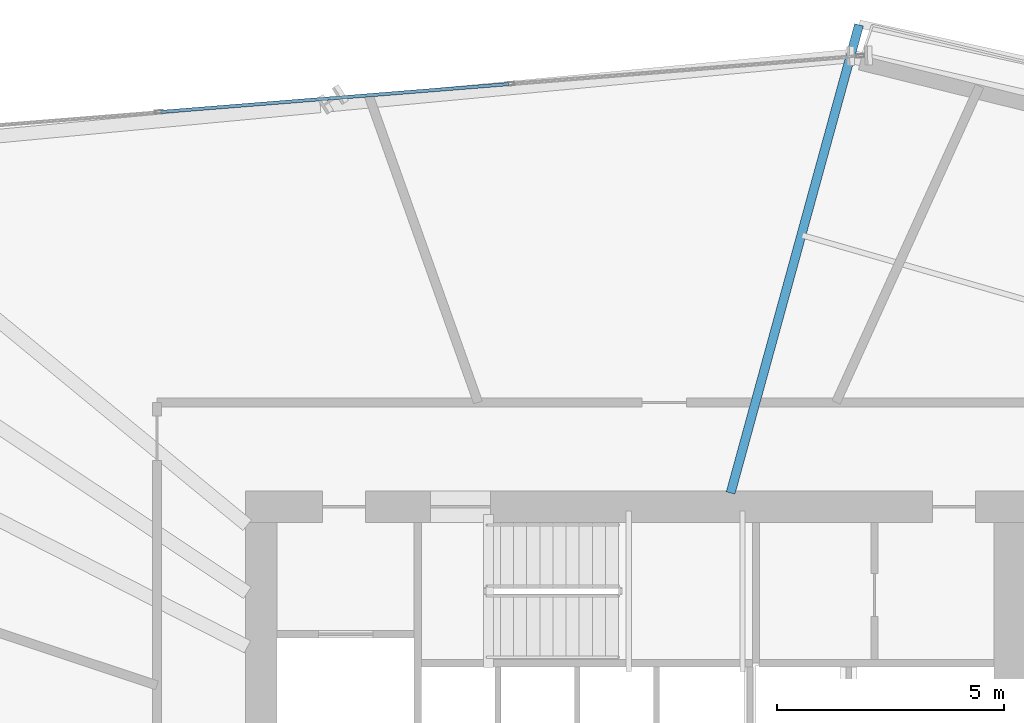
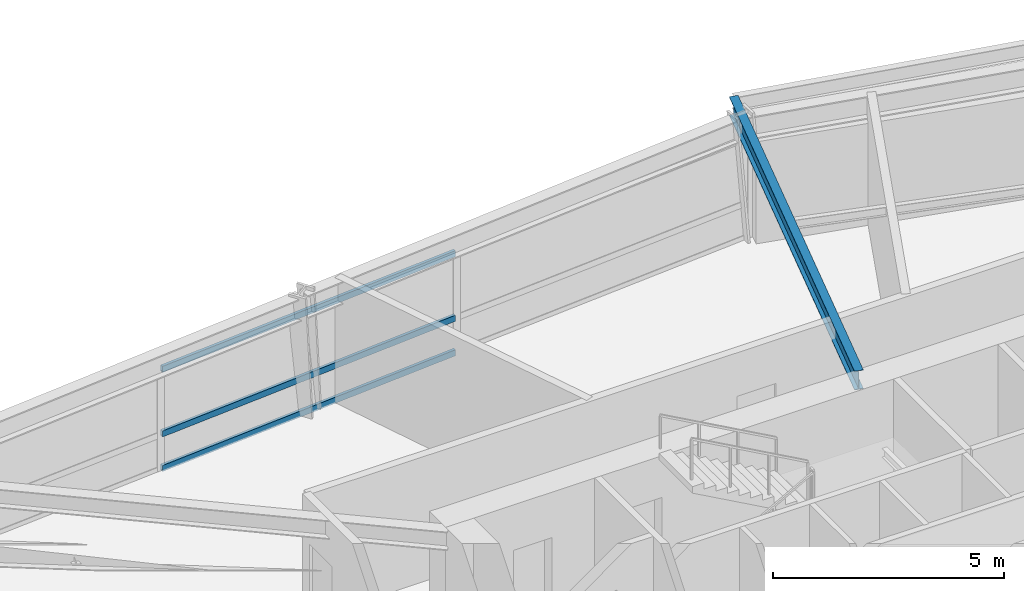
# One storey, part 7 of 18: 3 members, 1 beam, 1 element without a shape of its own.
"""IFC4 building model written with IfcOpenShell, lengths in metres."""

from ifc_helpers import new_model, si_unit, direction, frame, origin, origin_2d, place, context, subcontext, project, spatial, hollow_rectangle, i_section, extrude, source, transform, mapped, material, material_profile, profile_set, type_object, element, aggregate, save


model = new_model("IFC4")

# Units and contexts
model_context = context("Model", 3, precision=1e-05, world=origin(), true_north=direction((0.0, 1.0)))
body_context = subcontext(model_context, "Body", "Model", "MODEL_VIEW")
ifc_project = project(units=[si_unit("LENGTHUNIT", "METRE"), si_unit("AREAUNIT", "SQUARE_METRE"), si_unit("VOLUMEUNIT", "CUBIC_METRE"), si_unit("PLANEANGLEUNIT", "RADIAN"), si_unit("MASSUNIT", "GRAM", prefix="KILO")], contexts=[model_context])

# Site, building, storey
site_placement = place(None, origin())
site = spatial("IfcSite", under=ifc_project, at=site_placement, CompositionType="ELEMENT")
building_placement = place(site_placement, origin())
building = spatial("IfcBuilding", under=site, at=building_placement, Name="Olszyna Solenne Hotel", CompositionType="ELEMENT")
storey_placement = place(building_placement, frame((0.0, 0.0, 112.800048828125)))
storey = spatial("IfcBuildingStorey", under=building, at=storey_placement, Name="L29", CompositionType="ELEMENT", Elevation=112.800048828125)

# Beam
ifc_material_1 = material(Name="Steel S355J2", Category="steel")
ifc_material_profile_1 = material_profile(ifc_material_1, i_section(OverallWidth=0.199951171875, OverallDepth=0.5, WebThickness=0.01025390625, FlangeThickness=0.01611328125, at=origin_2d()), Name="IPE 500", Category="load-bearing")
ifc_profile_set_1 = profile_set([ifc_material_profile_1], Name="Steel S355J2")
beam_type = type_object("IfcBeamType", Name="BM-F3", PredefinedType="BEAM", material=ifc_profile_set_1)
shared_shape_1 = source(origin(), body_context, "Body", "SweptSolid", [
    extrude(i_section(OverallWidth=0.199951171875, OverallDepth=0.5, WebThickness=0.01025390625, FlangeThickness=0.01611328125, at=origin_2d()), origin(), (0.0, 0.0, 1.0), 10.7041015625),
])
beam_placement = place(storey_placement, frame((42.9296875, 44.67431640625, 3.050048828125), z_axis=(-0.26459928498, -0.964358449119, 0.0), x_axis=(0.964358449119, -0.26459928498, 0.0)))
element("IfcBeam", 1, at=beam_placement, inside=storey, type_object=beam_type, Name="Radial floor girder BM-F3 B-L29-0882", PredefinedType="BEAM", context=body_context, shape_type="MappedRepresentation", body=[
    mapped(shared_shape_1, transform((0.0, 0.0, 0.0), x_axis=(1.0, 0.0, 0.0), y_axis=(0.0, 1.0, 0.0), z_axis=(0.0, 0.0, 1.0), scale=1.0)),
])

# Curtain wall, members
ifc_material_2 = material(Name="Anodised bronze aluminium", Category="aluminium")
curtain_wall_type = type_object("IfcCurtainWallType", Name="CW-SYS-3", PredefinedType="NOTDEFINED", material=ifc_material_2)
curtain_wall_placement = place(storey_placement, origin())
curtain_wall = element("IfcCurtainWall", 2, at=curtain_wall_placement, inside=storey, type_object=curtain_wall_type, Name="Unitised curtain wall CW-SYS-3 CW-L29-02", PredefinedType="NOTDEFINED")
ifc_material_profile_2 = material_profile(ifc_material_2, hollow_rectangle(XDim=0.074951171875, YDim=0.159912109375, WallThickness=0.00390625, at=origin_2d()), Name="TRAN 160x75x4", Category="load-bearing")
ifc_profile_set_2 = profile_set([ifc_material_profile_2], Name="Anodised bronze aluminium")
member_type = type_object("IfcMemberType", Name="CW-T1", PredefinedType="USERDEFINED", material=ifc_profile_set_2)
shared_shape_2 = source(origin(), body_context, "Body", "SweptSolid", [
    extrude(hollow_rectangle(XDim=0.074951171875, YDim=0.159912109375, WallThickness=0.00390625, at=origin_2d()), origin(), (0.0, 0.0, 1.0), 7.698974609375),
])
member_1_placement = place(storey_placement, frame((27.531494140625, 42.753662109375, 0.037353515625), z_axis=(0.996804480606, 0.079880081652, 0.0), x_axis=(-0.079880081652, 0.996804480606, 0.0)))
member_1 = element("IfcMember", 3, at=member_1_placement, type_object=member_type, Name="Curtain-wall transom CW-T1 CT-L29-02-04", ObjectType="TRANSOM", PredefinedType="USERDEFINED", context=body_context, shape_type="MappedRepresentation", body=[
    mapped(shared_shape_2, transform((0.0, 0.0, 0.0), x_axis=(1.0, 0.0, 0.0), y_axis=(0.0, 1.0, 0.0), z_axis=(0.0, 0.0, 1.0), scale=1.0)),
])
member_2_placement = place(storey_placement, frame((27.531494140625, 42.753662109375, 0.949951171875), z_axis=(0.996804480606, 0.079880081652, 0.0), x_axis=(-0.079880081652, 0.996804480606, 0.0)))
member_2 = element("IfcMember", 4, at=member_2_placement, type_object=member_type, Name="Curtain-wall transom CW-T1 CT-L29-02-05", ObjectType="TRANSOM", PredefinedType="USERDEFINED", context=body_context, shape_type="MappedRepresentation", body=[
    mapped(shared_shape_2, transform((0.0, 0.0, 0.0), x_axis=(1.0, 0.0, 0.0), y_axis=(0.0, 1.0, 0.0), z_axis=(0.0, 0.0, 1.0), scale=1.0)),
])
member_3_placement = place(storey_placement, frame((27.531494140625, 42.753662109375, 2.654541015625), z_axis=(0.996804480606, 0.079880081652, 0.0), x_axis=(-0.079880081652, 0.996804480606, 0.0)))
member_3 = element("IfcMember", 5, at=member_3_placement, type_object=member_type, Name="Curtain-wall transom CW-T1 CT-L29-02-06", ObjectType="TRANSOM", PredefinedType="USERDEFINED", context=body_context, shape_type="MappedRepresentation", body=[
    mapped(shared_shape_2, transform((0.0, 0.0, 0.0), x_axis=(1.0, 0.0, 0.0), y_axis=(0.0, 1.0, 0.0), z_axis=(0.0, 0.0, 1.0), scale=1.0)),
])
aggregate(curtain_wall, [member_1, member_2, member_3])

save(model, "model.ifc")
